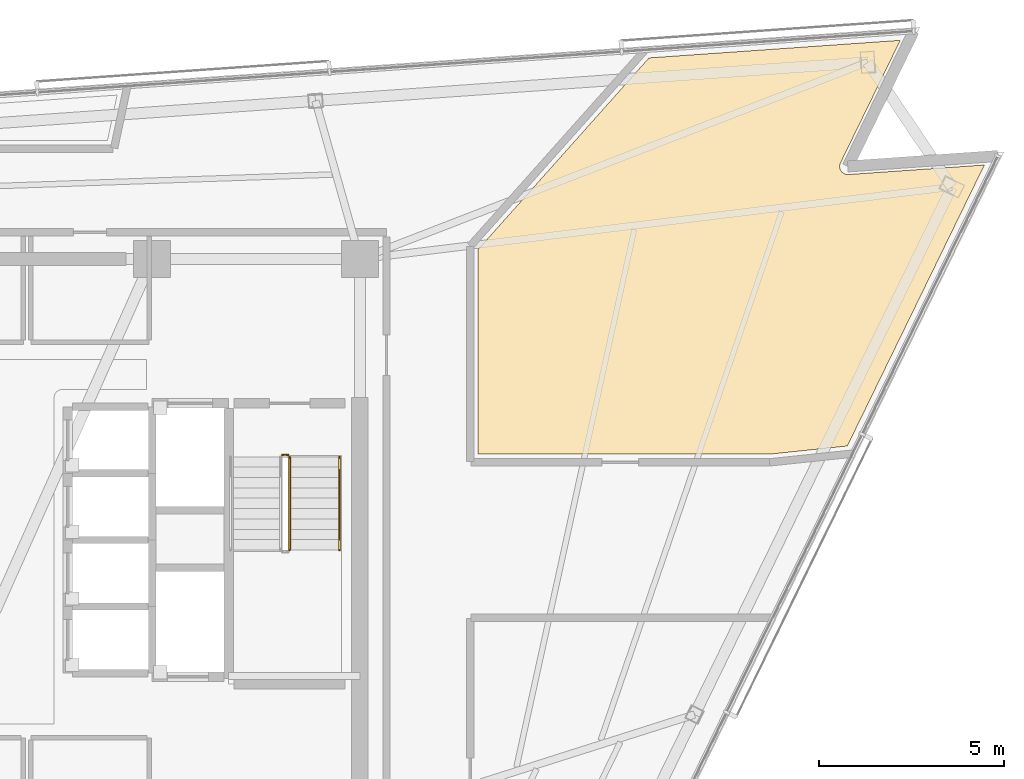
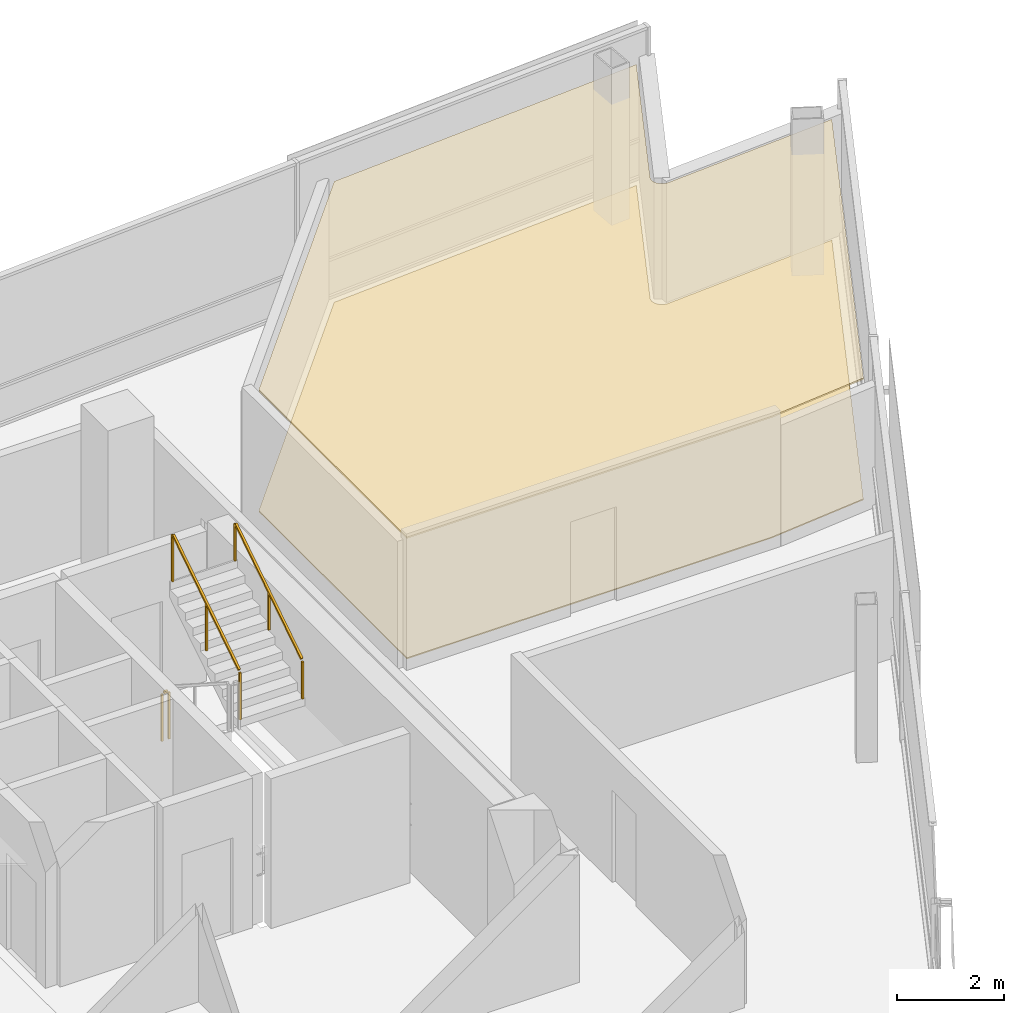
# One storey, part 16 of 16: 3 railings, 2 coverings.
"""IFC4 building model written with IfcOpenShell, lengths in metres."""

import ifcopenshell
import ifcopenshell.guid

model = None  # the IFC model being written
_history = None  # IfcOwnerHistory: only IFC2X3 demands one
_inside = {}  # id of a spatial element -> (the spatial element, [elements in it])
_under = {}  # id of a project, library or spatial element -> (it, [spatial elements below it])
_declared = {}  # id of a project -> (the project, [libraries it declares])
_typed = {}  # id of a type object -> (the type object, [elements of that type])
_made_of = {}  # id of a material, layer set ... -> (it, [elements and type objects made of it])


def new_model(schema):
    """Start an empty IFC model of exactly this schema.

    Asked for "IFC4X3", IfcOpenShell would pick the latest addendum, in which some entities
    have other attributes; the version numbers below select the first issue.
    IFC2X3 requires an IfcOwnerHistory on every rooted entity: one is made here for all.
    """
    global model, _history
    if schema == "IFC4X3":
        model = ifcopenshell.file(schema_version=(4, 3, 0, 0))
    else:
        model = ifcopenshell.file(schema=schema)
    _inside.clear()
    _under.clear()
    _declared.clear()
    _typed.clear()
    _made_of.clear()
    _history = None
    if model.schema == "IFC2X3":
        org = make("IfcOrganization", Name="unknown")
        user = make(
            "IfcPersonAndOrganization",
            ThePerson=make("IfcPerson", FamilyName="unknown"),
            TheOrganization=org,
        )
        app = make(
            "IfcApplication",
            ApplicationDeveloper=org,
            Version="unknown",
            ApplicationFullName="unknown",
            ApplicationIdentifier="unknown",
        )
        _history = make(
            "IfcOwnerHistory",
            OwningUser=user,
            OwningApplication=app,
            ChangeAction="ADDED",
            CreationDate=0,
        )
    return model


def make(cls, **values):
    """One entity of the class cls with the attributes given. An attribute that is None is left unset."""
    return model.create_entity(
        cls, **{name: value for name, value in values.items() if value is not None}
    )


def rooted(cls, **values):
    """An entity with a GlobalId (a new one), such as an element, a storey or a relation."""
    return make(cls, GlobalId=ifcopenshell.guid.new(), OwnerHistory=_history, **values)


def si_unit(unit_type, name, prefix=None):
    """IfcSIUnit, for example si_unit("LENGTHUNIT", "METRE", prefix="MILLI")."""
    return make("IfcSIUnit", UnitType=unit_type, Prefix=prefix, Name=name)


def assignment(units):
    """IfcUnitAssignment: the units of a project."""
    return None if units is None else make("IfcUnitAssignment", Units=units)


def point(xyz):
    """IfcCartesianPoint."""
    return None if xyz is None else make("IfcCartesianPoint", Coordinates=xyz)


def direction(xyz):
    """IfcDirection."""
    return None if xyz is None else make("IfcDirection", DirectionRatios=xyz)


def frame(location, z_axis=None, x_axis=None):
    """IfcAxis2Placement3D, a coordinate frame: its origin and axes. An axis left out is left unset."""
    return make(
        "IfcAxis2Placement3D",
        Location=point(location),
        Axis=direction(z_axis),
        RefDirection=direction(x_axis),
    )


def frame_2d(location, x_axis=None):
    """IfcAxis2Placement2D, a coordinate frame in the plane: its origin and x axis."""
    return make(
        "IfcAxis2Placement2D", Location=point(location), RefDirection=direction(x_axis)
    )


def origin():
    """The frame at (0, 0, 0) with its axes left unset."""
    return frame((0.0, 0.0, 0.0))


def origin_2d():
    """The frame at (0, 0) in the plane with its x axis left unset."""
    return frame_2d((0.0, 0.0))


def place(relative_to, where):
    """IfcLocalPlacement: puts the frame where relative to a parent placement (None: the world)."""
    return make(
        "IfcLocalPlacement", PlacementRelTo=relative_to, RelativePlacement=where
    )


def context(
    kind, dimensions, precision=None, world=None, true_north=None, identifier=None
):
    """IfcGeometricRepresentationContext, for example the 3D "Model" context."""
    return make(
        "IfcGeometricRepresentationContext",
        ContextIdentifier=identifier,
        ContextType=kind,
        CoordinateSpaceDimension=dimensions,
        Precision=precision,
        WorldCoordinateSystem=world,
        TrueNorth=true_north,
    )


def subcontext(parent, identifier, kind, view, scale=None):
    """IfcGeometricRepresentationSubContext, for example "Body" below "Model"."""
    return make(
        "IfcGeometricRepresentationSubContext",
        ContextIdentifier=identifier,
        ContextType=kind,
        ParentContext=parent,
        TargetScale=scale,
        TargetView=view,
    )


def project(units=None, contexts=None):
    """IfcProject with its units and contexts."""
    return rooted(
        "IfcProject",
        Name="project",
        RepresentationContexts=contexts,
        UnitsInContext=assignment(units),
    )


def spatial(cls, under=None, at=None, **own):
    """A site, building, storey or space (cls), placed at a placement, below another one or the project."""
    s = rooted(cls, ObjectPlacement=at, **own)
    if under is not None:
        _under.setdefault(under.id(), (under, []))[1].append(s)
    return s


def polyline(points):
    """IfcPolyline through the points."""
    return make("IfcPolyline", Points=[point(p) for p in points])


def profile(cls, at=None, kind="AREA", **sizes):
    """A parametric profile (cls). Its sizes go by their IFC names, for example OverallWidth=200.0."""
    return make(cls, ProfileType=kind, Position=at, **sizes)


def rectangle(**sizes):
    """IfcRectangleProfileDef."""
    return profile("IfcRectangleProfileDef", **sizes)


def outline(outer, holes=None, kind="AREA"):
    """IfcArbitraryClosedProfileDef: a profile drawn as a closed curve; with holes, ...WithVoids."""
    if holes is None:
        return make("IfcArbitraryClosedProfileDef", ProfileType=kind, OuterCurve=outer)
    return make(
        "IfcArbitraryProfileDefWithVoids",
        ProfileType=kind,
        OuterCurve=outer,
        InnerCurves=holes,
    )


def extrude(swept, where, along, depth):
    """IfcExtrudedAreaSolid: the profile swept, set in the frame where, extruded along a direction by depth."""
    return make(
        "IfcExtrudedAreaSolid",
        SweptArea=swept,
        Position=where,
        ExtrudedDirection=direction(along),
        Depth=depth,
    )


def shape(context_of_items, identifier, shape_type, items):
    """IfcShapeRepresentation: the items that make up one representation, for example the "Body"."""
    return make(
        "IfcShapeRepresentation",
        ContextOfItems=context_of_items,
        RepresentationIdentifier=identifier,
        RepresentationType=shape_type,
        Items=items,
    )


def material(Name=None, Category=None):
    """IfcMaterial."""
    return make("IfcMaterial", Name=Name, Category=Category)


def layer(
    of_material, thickness, ventilated=None, Name=None, Category=None, Priority=None
):
    """IfcMaterialLayer: one layer of a wall or slab, of a material (None: an air gap)."""
    return make(
        "IfcMaterialLayer",
        Material=of_material,
        LayerThickness=thickness,
        IsVentilated=ventilated,
        Name=Name,
        Category=Category,
        Priority=Priority,
    )


def layer_set(layers, Name=None):
    """IfcMaterialLayerSet."""
    return make("IfcMaterialLayerSet", MaterialLayers=layers, LayerSetName=Name)


def made_of(thing, what):
    """Note that an element or type object is made of a material, layer set ...; save() writes the relation."""
    if what is not None:
        _made_of.setdefault(what.id(), (what, []))[1].append(thing)
    return thing


def type_object(cls, material=None, **own):
    """A type object (cls), such as IfcWallType, which elements share."""
    return made_of(rooted(cls, **own), material)


def element(
    cls,
    number,
    at=None,
    inside=None,
    cuts=None,
    type_object=None,
    material=None,
    context=None,
    identifier="Body",
    shape_type=None,
    held_by="IfcProductDefinitionShape",
    body=None,
    shapes=None,
    **own,
):
    """One element of the class cls, such as IfcWall. Its Tag is "e" and its number.

    at: its placement. inside: the storey or other place that contains it. cuts: it is an
    opening in that element (IfcRelVoidsElement). A single representation is given by context,
    identifier, shape_type and body (its items); several are given by shapes. held_by: the class
    of the entity that holds the representations. save() writes the other relations.
    """
    e = rooted(cls, Tag="e%d" % number, ObjectPlacement=at, **own)
    if body is not None:
        shapes = [shape(context, identifier, shape_type, body)]
    if shapes is not None:
        e.Representation = make(held_by, Representations=shapes)
    if inside is not None:
        _inside.setdefault(inside.id(), (inside, []))[1].append(e)
    if cuts is not None:
        rooted(
            "IfcRelVoidsElement", RelatingBuildingElement=cuts, RelatedOpeningElement=e
        )
    if type_object is not None:
        _typed.setdefault(type_object.id(), (type_object, []))[1].append(e)
    return made_of(e, material)


def aggregate(whole, parts):
    """IfcRelAggregates: a whole, such as a stair, and the parts it consists of."""
    return rooted("IfcRelAggregates", RelatingObject=whole, RelatedObjects=parts)


def save(model, path):
    """Write the relations noted so far, then the file.

    IfcRelAggregates (storeys below a building ...), IfcRelContainedInSpatialStructure (elements
    in a storey), IfcRelDefinesByType, IfcRelAssociatesMaterial and IfcRelDeclares: one each for
    every whole, place, type object, material and project.
    """
    for whole, parts in _under.values():
        aggregate(whole, parts)
    for where, things in _inside.values():
        rooted(
            "IfcRelContainedInSpatialStructure",
            RelatedElements=things,
            RelatingStructure=where,
        )
    for kind, things in _typed.values():
        rooted("IfcRelDefinesByType", RelatedObjects=things, RelatingType=kind)
    for what, things in _made_of.values():
        rooted("IfcRelAssociatesMaterial", RelatedObjects=things, RelatingMaterial=what)
    for by, libraries in _declared.values():
        rooted("IfcRelDeclares", RelatingContext=by, RelatedDefinitions=libraries)
    model.write(path)


model = new_model("IFC4")

# Units and contexts
model_context = context("Model", 3, precision=1e-05, world=origin(), true_north=direction((0.0, 1.0)))
body_context = subcontext(model_context, "Body", "Model", "MODEL_VIEW")
ifc_project = project(units=[si_unit("LENGTHUNIT", "METRE"), si_unit("AREAUNIT", "SQUARE_METRE"), si_unit("VOLUMEUNIT", "CUBIC_METRE"), si_unit("PLANEANGLEUNIT", "RADIAN"), si_unit("MASSUNIT", "GRAM", prefix="KILO")], contexts=[model_context])

# Site, building, storey
site_placement = place(None, origin())
site = spatial("IfcSite", under=ifc_project, at=site_placement, CompositionType="ELEMENT")
building_placement = place(site_placement, origin())
building = spatial("IfcBuilding", under=site, at=building_placement, Name="Tharavind Bronze Gate", CompositionType="ELEMENT")
storey_placement = place(building_placement, frame((0.0, 0.0, 271.39990234375)))
storey = spatial("IfcBuildingStorey", under=building, at=storey_placement, Name="L70", CompositionType="ELEMENT", Elevation=271.39990234375)

# Coverings
ifc_material_1 = material(Name="Engineered Oak & Carpet Tile", Category="wood")
ifc_layer_1 = layer(ifc_material_1, 0.02490234375)
ifc_layer_set_1 = layer_set([ifc_layer_1], Name="Engineered Oak & Carpet Tile")
covering_type_1 = type_object("IfcCoveringType", Name="ENGINEERED TIMBER FLOORING", PredefinedType="FLOORING", material=ifc_layer_set_1)
covering_1_placement = place(storey_placement, origin())
element("IfcCovering", 1, at=covering_1_placement, inside=storey, type_object=covering_type_1, Name="L70-RM-01 floor finish", PredefinedType="FLOORING", context=body_context, shape_type="SweptSolid", body=[
    extrude(outline(polyline([(19.968505859375, 2.320068359375), (22.083740234375, 2.542236328125), (25.79052734375, 10.142578125), (22.11328125, 9.885498046875), (22.102294921875, 9.885009765625), (22.1015625, 9.885009765625), (22.07958984375, 9.885498046875), (22.05810546875, 9.888427734375), (22.03662109375, 9.893310546875), (22.015869140625, 9.900390625), (21.995849609375, 9.90966796875), (21.97705078125, 9.920654296875), (21.959228515625, 9.93359375), (21.94287109375, 9.947998046875), (21.927978515625, 9.96435546875), (21.914794921875, 9.981689453125), (21.903564453125, 10.00048828125), (21.89404296875, 10.0205078125), (21.88671875, 10.041015625), (21.88134765625, 10.062255859375), (21.878173828125, 10.083984375), (21.877197265625, 10.10595703125), (21.87841796875, 10.127685546875), (21.8818359375, 10.1494140625), (21.88720703125, 10.170654296875), (21.89501953125, 10.19140625), (21.895263671875, 10.19189453125), (21.899658203125, 10.201904296875), (23.515625, 13.51513671875), (16.718994140625, 13.039794921875), (12.10009765625, 7.86181640625), (12.10009765625, 2.320068359375), (19.968505859375, 2.320068359375)])), origin(), (0.0, 0.0, 1.0), 0.025146484375),
])
ifc_material_2 = material(Name="Acoustic Gypsum Board", Category="gypsum")
ifc_layer_2 = layer(ifc_material_2, 0.030029296875)
ifc_layer_set_2 = layer_set([ifc_layer_2], Name="Acoustic Gypsum Board")
covering_type_2 = type_object("IfcCoveringType", Name="GYPSUM SUSPENDED CEILING", PredefinedType="CEILING", material=ifc_layer_set_2)
covering_2_placement = place(storey_placement, frame((0.0, 0.0, 2.75)))
element("IfcCovering", 2, at=covering_2_placement, inside=storey, type_object=covering_type_2, Name="L70-RM-01 suspended ceiling", PredefinedType="CEILING", context=body_context, shape_type="SweptSolid", body=[
    extrude(outline(polyline([(19.968505859375, 2.320068359375), (22.083740234375, 2.542236328125), (25.79052734375, 10.142578125), (22.11328125, 9.885498046875), (22.102294921875, 9.885009765625), (22.1015625, 9.885009765625), (22.07958984375, 9.885498046875), (22.05810546875, 9.888427734375), (22.03662109375, 9.893310546875), (22.015869140625, 9.900390625), (21.995849609375, 9.90966796875), (21.97705078125, 9.920654296875), (21.959228515625, 9.93359375), (21.94287109375, 9.947998046875), (21.927978515625, 9.96435546875), (21.914794921875, 9.981689453125), (21.903564453125, 10.00048828125), (21.89404296875, 10.0205078125), (21.88671875, 10.041015625), (21.88134765625, 10.062255859375), (21.878173828125, 10.083984375), (21.877197265625, 10.10595703125), (21.87841796875, 10.127685546875), (21.8818359375, 10.1494140625), (21.88720703125, 10.170654296875), (21.89501953125, 10.19140625), (21.895263671875, 10.19189453125), (21.899658203125, 10.201904296875), (23.515625, 13.51513671875), (16.718994140625, 13.039794921875), (12.10009765625, 7.86181640625), (12.10009765625, 2.320068359375), (19.968505859375, 2.320068359375)])), origin(), (0.0, 0.0, 1.0), 0.03515625),
])

# Railings
ifc_material_3 = material(Name="Brushed Bronze Alloy", Category="metal")
railing_type_1 = type_object("IfcRailingType", Name="STAIR BRONZE HANDRAIL 900", PredefinedType="HANDRAIL", material=ifc_material_3)
railing_1_placement = place(storey_placement, frame((8.35009765625, -0.27001953125, 1.97998046875)))
element("IfcRailing", 3, at=railing_1_placement, inside=storey, type_object=railing_type_1, Name="L70 ST2 stair handrail 2", PredefinedType="HANDRAIL", context=body_context, shape_type="SweptSolid", body=[
    extrude(rectangle(XDim=0.048095703125, YDim=0.048095703125, at=origin_2d()), frame((0.0, 0.02685546875, 0.89306640625), z_axis=(0.0, 0.841162588446, 0.540782303519), x_axis=(-1.0, 0.0, 0.0)), (0.0, 0.0, 1.0), 2.931884765625),
    extrude(rectangle(XDim=0.0400390625, YDim=0.0400390625, at=origin_2d()), origin(), (0.0, 0.0, 1.0), 0.847900390625),
    extrude(rectangle(XDim=0.0400390625, YDim=0.0400390625, at=origin_2d()), frame((0.0, 1.260009765625, 0.81005859375)), (0.0, 0.0, 1.0), 0.847900390625),
    extrude(rectangle(XDim=0.0400390625, YDim=0.0400390625, at=origin_2d()), frame((0.0, 2.52001953125, 1.6201171875)), (0.0, 0.0, 1.0), 0.847900390625),
])
railing_type_2 = type_object("IfcRailingType", Name="STAIR WELL GUARD RAILING 1120", PredefinedType="GUARDRAIL", material=ifc_material_3)
railing_2_placement = place(storey_placement, frame((7.0, -0.27001953125, 1.97998046875)))
element("IfcRailing", 4, at=railing_2_placement, inside=storey, type_object=railing_type_2, Name="L70 ST2 stair guard 3", PredefinedType="GUARDRAIL", context=body_context, shape_type="SweptSolid", body=[
    extrude(rectangle(XDim=0.048095703125, YDim=0.048095703125, at=origin_2d()), frame((0.0, 0.02685546875, 1.11328125), z_axis=(0.0, 0.841162588446, 0.540782303519), x_axis=(-1.0, 0.0, 0.0)), (0.0, 0.0, 1.0), 2.931884765625),
    extrude(rectangle(XDim=0.0400390625, YDim=0.0400390625, at=origin_2d()), origin(), (0.0, 0.0, 1.0), 1.068115234375),
    extrude(rectangle(XDim=0.0400390625, YDim=0.0400390625, at=origin_2d()), frame((0.0, 1.260009765625, 0.81005859375)), (0.0, 0.0, 1.0), 1.068115234375),
    extrude(rectangle(XDim=0.0400390625, YDim=0.0400390625, at=origin_2d()), frame((0.0, 2.52001953125, 1.6201171875)), (0.0, 0.0, 1.0), 1.068115234375),
])
railing_3_placement = place(storey_placement, frame((6.800048828125, 2.300048828125, 0.0)))
element("IfcRailing", 5, at=railing_3_placement, inside=storey, type_object=railing_type_2, Name="L70 ST2 stair guard 4", PredefinedType="GUARDRAIL", context=body_context, shape_type="SweptSolid", body=[
    extrude(rectangle(XDim=0.048095703125, YDim=0.048095703125, at=origin_2d()), frame((0.031982421875, 0.0, 1.09619140625), z_axis=(1.0, 0.0, 0.0), x_axis=(0.0, 1.0, 0.0)), (0.0, 0.0, 1.0), 0.0859375),
    extrude(rectangle(XDim=0.0400390625, YDim=0.0400390625, at=origin_2d()), origin(), (0.0, 0.0, 1.0), 1.068115234375),
    extrude(rectangle(XDim=0.0400390625, YDim=0.0400390625, at=origin_2d()), frame((0.14990234375, 0.0, 0.0)), (0.0, 0.0, 1.0), 1.068115234375),
])

save(model, "model.ifc")
